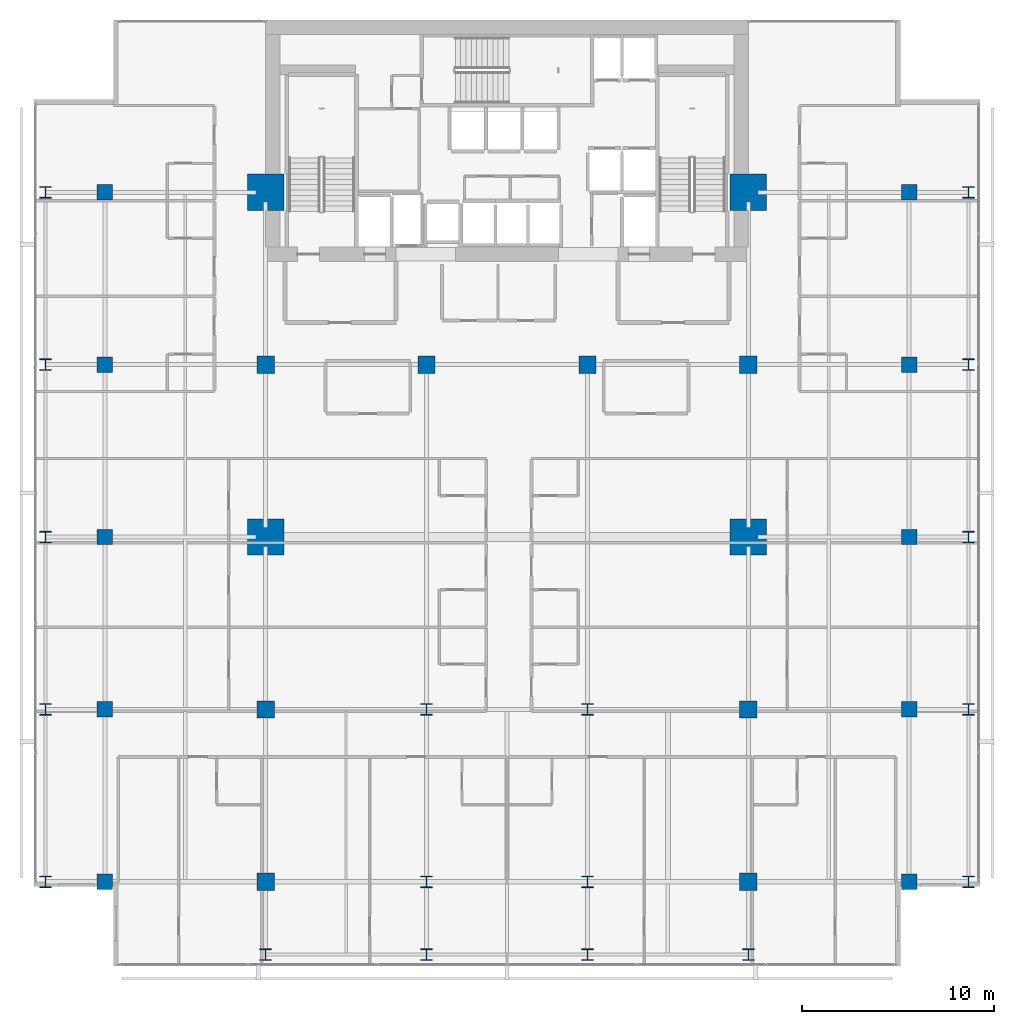
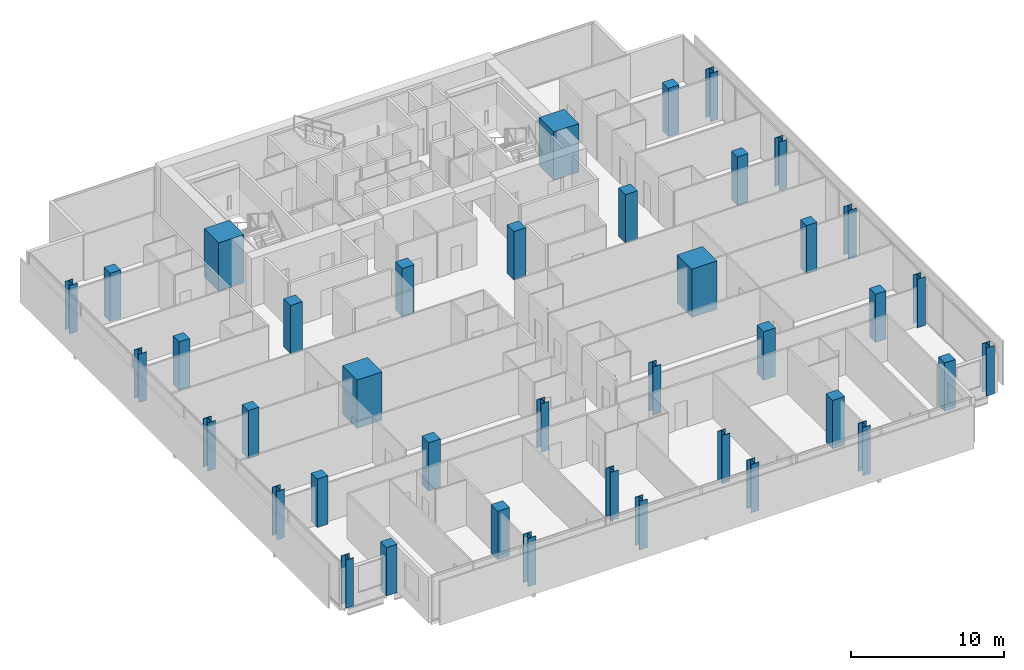
# One storey, part 1 of 34: 40 columns.
"""IFC4 building model written with IfcOpenShell, lengths in metres."""

from ifc_helpers import new_model, si_unit, direction, frame, origin, origin_2d, place, context, subcontext, project, spatial, rectangle, i_section, extrude, material, material_profile, profile_set, type_object, element, save


model = new_model("IFC4")

# Units and contexts
model_context = context("Model", 3, precision=1e-05, world=origin(), true_north=direction((0.0, 1.0)))
body_context = subcontext(model_context, "Body", "Model", "MODEL_VIEW")
ifc_project = project(units=[si_unit("LENGTHUNIT", "METRE"), si_unit("AREAUNIT", "SQUARE_METRE"), si_unit("VOLUMEUNIT", "CUBIC_METRE"), si_unit("PLANEANGLEUNIT", "RADIAN"), si_unit("MASSUNIT", "GRAM", prefix="KILO")], contexts=[model_context])

# Site, building, storey
site_placement = place(None, origin())
site = spatial("IfcSite", under=ifc_project, at=site_placement, CompositionType="ELEMENT")
building_placement = place(site_placement, origin())
building = spatial("IfcBuilding", under=site, at=building_placement, Name="Maruvema Waterfront Hotel and Observation Tower", CompositionType="ELEMENT")
storey_placement = place(building_placement, frame((0.0, 0.0, 215.949951171875)))
storey = spatial("IfcBuildingStorey", under=building, at=storey_placement, Name="L53", CompositionType="ELEMENT", Elevation=215.949951171875)

# Columns
ifc_material_1 = material(Name="Concrete C80/95", Category="concrete")
ifc_material_profile_1 = material_profile(ifc_material_1, rectangle(XDim=1.89990234375, YDim=1.89990234375, at=origin_2d()), Name="MC1900x1900")
ifc_profile_set_1 = profile_set([ifc_material_profile_1], Name="Concrete C80/95")
column_type_1 = type_object("IfcColumnType", Name="Continuous Mega-Column MC1900x1900", PredefinedType="COLUMN", material=ifc_profile_set_1)
for number, where, z_axis, x_axis, name in (
    (1, (25.199951171875, 27.0, 0.0), (0.0, 0.0, 1.0), (1.0, 0.0, 0.0), "L53 Continuous Mega-Column MC-01"),
    (2, (50.39990234375, 27.0, 0.0), (0.0, 0.0, 1.0), (1.0, 0.0, 0.0), "L53 Continuous Mega-Column MC-02"),
    (3, (25.199951171875, 45.0, 0.0), (0.0, 0.0, 1.0), (1.0, 0.0, 0.0), "L53 Continuous Mega-Column MC-03"),
    (4, (50.39990234375, 45.0, 0.0), (0.0, 0.0, 1.0), (1.0, 0.0, 0.0), "L53 Continuous Mega-Column MC-04"),
):
    element("IfcColumn", number, at=place(storey_placement, frame(where, z_axis=z_axis, x_axis=x_axis)), inside=storey, type_object=column_type_1, Name=name, PredefinedType="COLUMN", context=body_context, shape_type="SweptSolid", body=[
        extrude(rectangle(XDim=1.89990234375, YDim=1.89990234375, at=origin_2d()), origin(), (0.0, 0.0, 1.0), 3.85009765625),
    ])
ifc_material_2 = material(Name="Concrete C60/75", Category="concrete")
ifc_material_profile_2 = material_profile(ifc_material_2, rectangle(XDim=0.800048828125, YDim=0.800048828125, at=origin_2d()), Name="RC800x800")
ifc_profile_set_2 = profile_set([ifc_material_profile_2], Name="Concrete C60/75")
column_type_2 = type_object("IfcColumnType", Name="Reinforced Concrete Column RC800x800", PredefinedType="COLUMN", material=ifc_profile_set_2)
for number, where, z_axis, x_axis, name in (
    (5, (16.800048828125, 9.0, 0.0), (0.0, 0.0, 1.0), (1.0, 0.0, 0.0), "L53 Column C-3Y9"),
    (6, (58.800048828125, 9.0, 0.0), (0.0, 0.0, 1.0), (1.0, 0.0, 0.0), "L53 Column C-8Y9"),
    (7, (16.800048828125, 18.0, 0.0), (0.0, 0.0, 1.0), (1.0, 0.0, 0.0), "L53 Column C-3Y18"),
    (8, (58.800048828125, 18.0, 0.0), (0.0, 0.0, 1.0), (1.0, 0.0, 0.0), "L53 Column C-8Y18"),
    (9, (16.800048828125, 27.0, 0.0), (0.0, 0.0, 1.0), (1.0, 0.0, 0.0), "L53 Column C-3Y27"),
    (10, (58.800048828125, 27.0, 0.0), (0.0, 0.0, 1.0), (1.0, 0.0, 0.0), "L53 Column C-8Y27"),
    (11, (16.800048828125, 36.0, 0.0), (0.0, 0.0, 1.0), (1.0, 0.0, 0.0), "L53 Column C-3Y36"),
    (12, (58.800048828125, 36.0, 0.0), (0.0, 0.0, 1.0), (1.0, 0.0, 0.0), "L53 Column C-8Y36"),
    (13, (16.800048828125, 45.0, 0.0), (0.0, 0.0, 1.0), (1.0, 0.0, 0.0), "L53 Column C-3Y45"),
    (14, (58.800048828125, 45.0, 0.0), (0.0, 0.0, 1.0), (1.0, 0.0, 0.0), "L53 Column C-8Y45"),
):
    element("IfcColumn", number, at=place(storey_placement, frame(where, z_axis=z_axis, x_axis=x_axis)), inside=storey, type_object=column_type_2, Name=name, PredefinedType="COLUMN", context=body_context, shape_type="SweptSolid", body=[
        extrude(rectangle(XDim=0.800048828125, YDim=0.800048828125, at=origin_2d()), origin(), (0.0, 0.0, 1.0), 3.85009765625),
    ])
ifc_material_3 = material(Name="Concrete C60/75", Category="concrete")
ifc_material_profile_3 = material_profile(ifc_material_3, rectangle(XDim=0.89990234375, YDim=0.89990234375, at=origin_2d()), Name="RC900x900")
ifc_profile_set_3 = profile_set([ifc_material_profile_3], Name="Concrete C60/75")
column_type_3 = type_object("IfcColumnType", Name="Reinforced Concrete Column RC900x900", PredefinedType="COLUMN", material=ifc_profile_set_3)
for number, where, z_axis, x_axis, name in (
    (15, (25.199951171875, 36.0, 0.0), (0.0, 0.0, 1.0), (1.0, 0.0, 0.0), "L53 Column C-4E"),
    (16, (33.60009765625, 36.0, 0.0), (0.0, 0.0, 1.0), (1.0, 0.0, 0.0), "L53 Column C-5E"),
    (17, (42.0, 36.0, 0.0), (0.0, 0.0, 1.0), (1.0, 0.0, 0.0), "L53 Column C-6E"),
    (18, (50.39990234375, 36.0, 0.0), (0.0, 0.0, 1.0), (1.0, 0.0, 0.0), "L53 Column C-7E"),
    (19, (25.199951171875, 18.0, 0.0), (0.0, 0.0, 1.0), (1.0, 0.0, 0.0), "L53 Column C-4C"),
    (20, (50.39990234375, 18.0, 0.0), (0.0, 0.0, 1.0), (1.0, 0.0, 0.0), "L53 Column C-7C"),
    (21, (25.199951171875, 9.0, 0.0), (0.0, 0.0, 1.0), (1.0, 0.0, 0.0), "L53 Column C-4B"),
    (22, (50.39990234375, 9.0, 0.0), (0.0, 0.0, 1.0), (1.0, 0.0, 0.0), "L53 Column C-7B"),
):
    element("IfcColumn", number, at=place(storey_placement, frame(where, z_axis=z_axis, x_axis=x_axis)), inside=storey, type_object=column_type_3, Name=name, PredefinedType="COLUMN", context=body_context, shape_type="SweptSolid", body=[
        extrude(rectangle(XDim=0.89990234375, YDim=0.89990234375, at=origin_2d()), origin(), (0.0, 0.0, 1.0), 3.85009765625),
    ])
ifc_material_4 = material(Name="Steel ABNT NBR 7007 AR 415 (ASTM A572 Grade 50)", Category="steel")
ifc_material_profile_4 = material_profile(ifc_material_4, i_section(OverallWidth=0.60009765625, OverallDepth=0.60009765625, WebThickness=0.02490234375, FlangeThickness=0.0380859375, at=origin_2d()), Name="CVS600x317")
ifc_profile_set_4 = profile_set([ifc_material_profile_4], Name="Steel ABNT NBR 7007 AR 415 (ASTM A572 Grade 50)")
column_type_4 = type_object("IfcColumnType", Name="Structural Steel Column CVS600x317", PredefinedType="COLUMN", material=ifc_profile_set_4)
for number, where, z_axis, x_axis, name in (
    (23, (33.60009765625, 9.0, 0.0), (0.0, 0.0, 1.0), (1.0, 0.0, 0.0), "L53 Column C-5B"),
    (24, (42.0, 9.0, 0.0), (0.0, 0.0, 1.0), (1.0, 0.0, 0.0), "L53 Column C-6B"),
    (25, (33.60009765625, 18.0, 0.0), (0.0, 0.0, 1.0), (1.0, 0.0, 0.0), "L53 Column C-5C"),
    (26, (42.0, 18.0, 0.0), (0.0, 0.0, 1.0), (1.0, 0.0, 0.0), "L53 Column C-6C"),
    (27, (13.699951171875, 9.0, 0.0), (0.0, 0.0, 1.0), (1.0, 0.0, 0.0), "L53 Column C-Z2W9"),
    (28, (61.89990234375, 9.0, 0.0), (0.0, 0.0, 1.0), (1.0, 0.0, 0.0), "L53 Column C-Z2E9"),
    (29, (13.699951171875, 18.0, 0.0), (0.0, 0.0, 1.0), (1.0, 0.0, 0.0), "L53 Column C-Z2W18"),
    (30, (61.89990234375, 18.0, 0.0), (0.0, 0.0, 1.0), (1.0, 0.0, 0.0), "L53 Column C-Z2E18"),
    (31, (13.699951171875, 27.0, 0.0), (0.0, 0.0, 1.0), (1.0, 0.0, 0.0), "L53 Column C-Z2W27"),
    (32, (61.89990234375, 27.0, 0.0), (0.0, 0.0, 1.0), (1.0, 0.0, 0.0), "L53 Column C-Z2E27"),
    (33, (13.699951171875, 36.0, 0.0), (0.0, 0.0, 1.0), (1.0, 0.0, 0.0), "L53 Column C-Z2W36"),
    (34, (61.89990234375, 36.0, 0.0), (0.0, 0.0, 1.0), (1.0, 0.0, 0.0), "L53 Column C-Z2E36"),
    (35, (13.699951171875, 45.0, 0.0), (0.0, 0.0, 1.0), (1.0, 0.0, 0.0), "L53 Column C-Z2W45"),
    (36, (61.89990234375, 45.0, 0.0), (0.0, 0.0, 1.0), (1.0, 0.0, 0.0), "L53 Column C-Z2E45"),
    (37, (25.199951171875, 5.199951171875, 0.0), (0.0, 0.0, 1.0), (1.0, 0.0, 0.0), "L53 Column C-Z2S4"),
    (38, (33.60009765625, 5.199951171875, 0.0), (0.0, 0.0, 1.0), (1.0, 0.0, 0.0), "L53 Column C-Z2S5"),
    (39, (42.0, 5.199951171875, 0.0), (0.0, 0.0, 1.0), (1.0, 0.0, 0.0), "L53 Column C-Z2S6"),
    (40, (50.39990234375, 5.199951171875, 0.0), (0.0, 0.0, 1.0), (1.0, 0.0, 0.0), "L53 Column C-Z2S7"),
):
    element("IfcColumn", number, at=place(storey_placement, frame(where, z_axis=z_axis, x_axis=x_axis)), inside=storey, type_object=column_type_4, Name=name, PredefinedType="COLUMN", context=body_context, shape_type="SweptSolid", body=[
        extrude(i_section(OverallWidth=0.60009765625, OverallDepth=0.60009765625, WebThickness=0.02490234375, FlangeThickness=0.0380859375, at=origin_2d()), origin(), (0.0, 0.0, 1.0), 3.85009765625),
    ])

save(model, "model.ifc")
